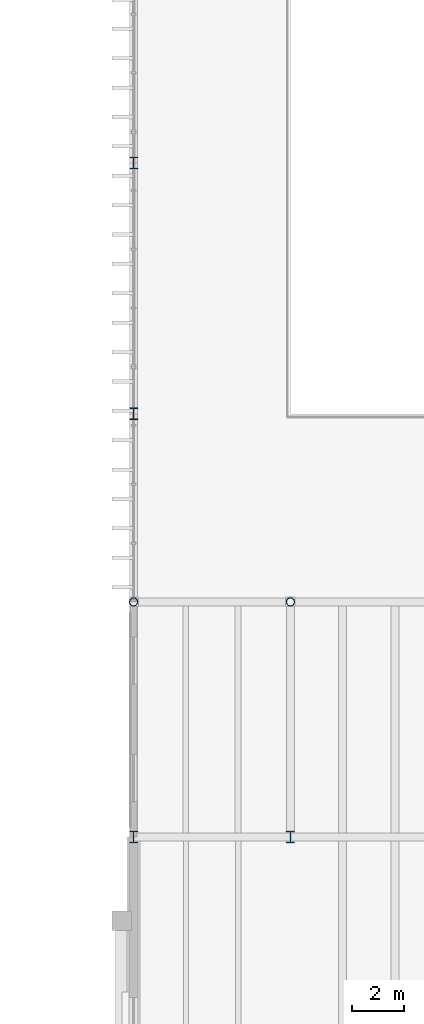
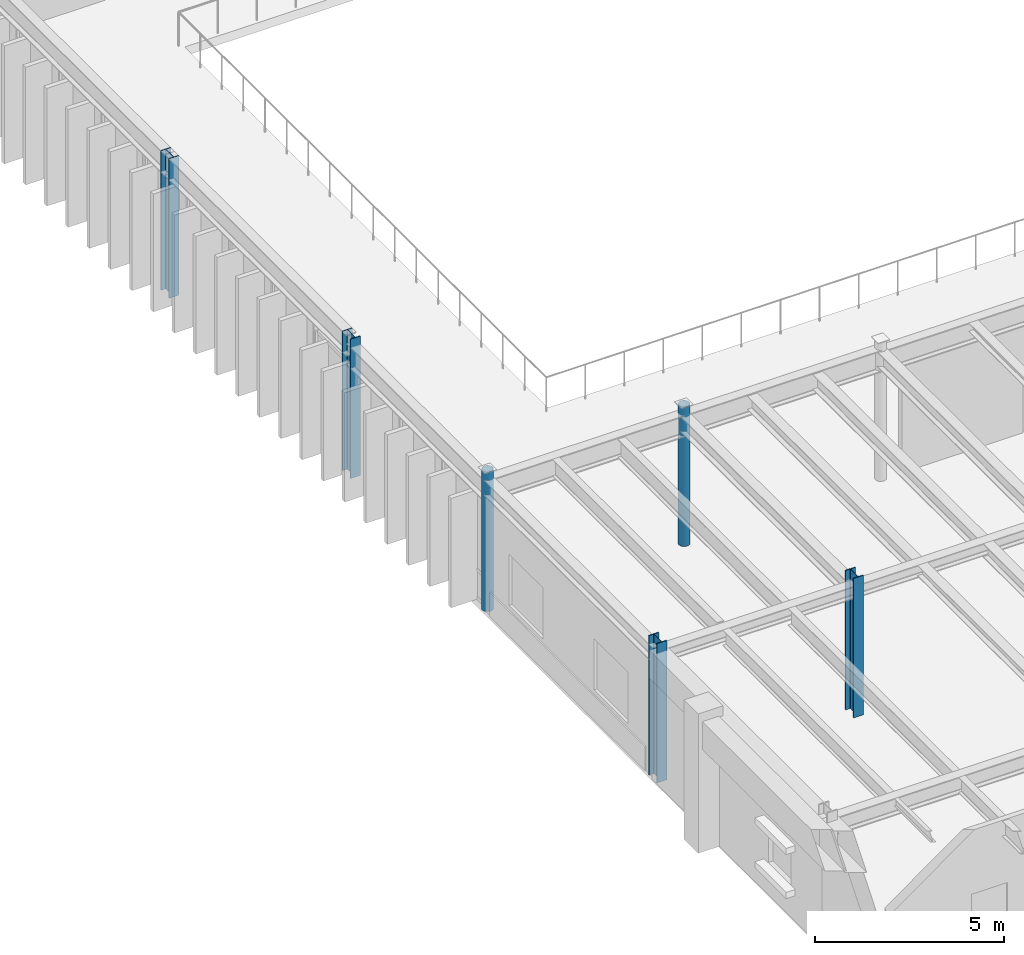
# One storey, part 3 of 64: 6 columns.
"""IFC4 building model written with IfcOpenShell, lengths in metres."""

import ifcopenshell
import ifcopenshell.guid

model = None  # the IFC model being written
_history = None  # IfcOwnerHistory: only IFC2X3 demands one
_inside = {}  # id of a spatial element -> (the spatial element, [elements in it])
_under = {}  # id of a project, library or spatial element -> (it, [spatial elements below it])
_declared = {}  # id of a project -> (the project, [libraries it declares])
_typed = {}  # id of a type object -> (the type object, [elements of that type])
_made_of = {}  # id of a material, layer set ... -> (it, [elements and type objects made of it])


def new_model(schema):
    """Start an empty IFC model of exactly this schema.

    Asked for "IFC4X3", IfcOpenShell would pick the latest addendum, in which some entities
    have other attributes; the version numbers below select the first issue.
    IFC2X3 requires an IfcOwnerHistory on every rooted entity: one is made here for all.
    """
    global model, _history
    if schema == "IFC4X3":
        model = ifcopenshell.file(schema_version=(4, 3, 0, 0))
    else:
        model = ifcopenshell.file(schema=schema)
    _inside.clear()
    _under.clear()
    _declared.clear()
    _typed.clear()
    _made_of.clear()
    _history = None
    if model.schema == "IFC2X3":
        org = make("IfcOrganization", Name="unknown")
        user = make(
            "IfcPersonAndOrganization",
            ThePerson=make("IfcPerson", FamilyName="unknown"),
            TheOrganization=org,
        )
        app = make(
            "IfcApplication",
            ApplicationDeveloper=org,
            Version="unknown",
            ApplicationFullName="unknown",
            ApplicationIdentifier="unknown",
        )
        _history = make(
            "IfcOwnerHistory",
            OwningUser=user,
            OwningApplication=app,
            ChangeAction="ADDED",
            CreationDate=0,
        )
    return model


def make(cls, **values):
    """One entity of the class cls with the attributes given. An attribute that is None is left unset."""
    return model.create_entity(
        cls, **{name: value for name, value in values.items() if value is not None}
    )


def rooted(cls, **values):
    """An entity with a GlobalId (a new one), such as an element, a storey or a relation."""
    return make(cls, GlobalId=ifcopenshell.guid.new(), OwnerHistory=_history, **values)


def si_unit(unit_type, name, prefix=None):
    """IfcSIUnit, for example si_unit("LENGTHUNIT", "METRE", prefix="MILLI")."""
    return make("IfcSIUnit", UnitType=unit_type, Prefix=prefix, Name=name)


def assignment(units):
    """IfcUnitAssignment: the units of a project."""
    return None if units is None else make("IfcUnitAssignment", Units=units)


def point(xyz):
    """IfcCartesianPoint."""
    return None if xyz is None else make("IfcCartesianPoint", Coordinates=xyz)


def direction(xyz):
    """IfcDirection."""
    return None if xyz is None else make("IfcDirection", DirectionRatios=xyz)


def frame(location, z_axis=None, x_axis=None):
    """IfcAxis2Placement3D, a coordinate frame: its origin and axes. An axis left out is left unset."""
    return make(
        "IfcAxis2Placement3D",
        Location=point(location),
        Axis=direction(z_axis),
        RefDirection=direction(x_axis),
    )


def frame_2d(location, x_axis=None):
    """IfcAxis2Placement2D, a coordinate frame in the plane: its origin and x axis."""
    return make(
        "IfcAxis2Placement2D", Location=point(location), RefDirection=direction(x_axis)
    )


def origin():
    """The frame at (0, 0, 0) with its axes left unset."""
    return frame((0.0, 0.0, 0.0))


def origin_2d():
    """The frame at (0, 0) in the plane with its x axis left unset."""
    return frame_2d((0.0, 0.0))


def place(relative_to, where):
    """IfcLocalPlacement: puts the frame where relative to a parent placement (None: the world)."""
    return make(
        "IfcLocalPlacement", PlacementRelTo=relative_to, RelativePlacement=where
    )


def context(
    kind, dimensions, precision=None, world=None, true_north=None, identifier=None
):
    """IfcGeometricRepresentationContext, for example the 3D "Model" context."""
    return make(
        "IfcGeometricRepresentationContext",
        ContextIdentifier=identifier,
        ContextType=kind,
        CoordinateSpaceDimension=dimensions,
        Precision=precision,
        WorldCoordinateSystem=world,
        TrueNorth=true_north,
    )


def subcontext(parent, identifier, kind, view, scale=None):
    """IfcGeometricRepresentationSubContext, for example "Body" below "Model"."""
    return make(
        "IfcGeometricRepresentationSubContext",
        ContextIdentifier=identifier,
        ContextType=kind,
        ParentContext=parent,
        TargetScale=scale,
        TargetView=view,
    )


def project(units=None, contexts=None):
    """IfcProject with its units and contexts."""
    return rooted(
        "IfcProject",
        Name="project",
        RepresentationContexts=contexts,
        UnitsInContext=assignment(units),
    )


def spatial(cls, under=None, at=None, **own):
    """A site, building, storey or space (cls), placed at a placement, below another one or the project."""
    s = rooted(cls, ObjectPlacement=at, **own)
    if under is not None:
        _under.setdefault(under.id(), (under, []))[1].append(s)
    return s


def profile(cls, at=None, kind="AREA", **sizes):
    """A parametric profile (cls). Its sizes go by their IFC names, for example OverallWidth=200.0."""
    return make(cls, ProfileType=kind, Position=at, **sizes)


def hollow_circle(**sizes):
    """IfcCircleHollowProfileDef."""
    return profile("IfcCircleHollowProfileDef", **sizes)


def i_section(**sizes):
    """IfcIShapeProfileDef."""
    return profile("IfcIShapeProfileDef", **sizes)


def extrude(swept, where, along, depth):
    """IfcExtrudedAreaSolid: the profile swept, set in the frame where, extruded along a direction by depth."""
    return make(
        "IfcExtrudedAreaSolid",
        SweptArea=swept,
        Position=where,
        ExtrudedDirection=direction(along),
        Depth=depth,
    )


def shape(context_of_items, identifier, shape_type, items):
    """IfcShapeRepresentation: the items that make up one representation, for example the "Body"."""
    return make(
        "IfcShapeRepresentation",
        ContextOfItems=context_of_items,
        RepresentationIdentifier=identifier,
        RepresentationType=shape_type,
        Items=items,
    )


def material(Name=None, Category=None):
    """IfcMaterial."""
    return make("IfcMaterial", Name=Name, Category=Category)


def material_profile(
    of_material, cross_section, Name=None, Category=None, Priority=None
):
    """IfcMaterialProfile: a cross section and its material."""
    return make(
        "IfcMaterialProfile",
        Name=Name,
        Material=of_material,
        Profile=cross_section,
        Priority=Priority,
        Category=Category,
    )


def profile_set(profiles, Name=None, composite=None):
    """IfcMaterialProfileSet."""
    return make(
        "IfcMaterialProfileSet",
        Name=Name,
        MaterialProfiles=profiles,
        CompositeProfile=composite,
    )


def made_of(thing, what):
    """Note that an element or type object is made of a material, layer set ...; save() writes the relation."""
    if what is not None:
        _made_of.setdefault(what.id(), (what, []))[1].append(thing)
    return thing


def type_object(cls, material=None, **own):
    """A type object (cls), such as IfcWallType, which elements share."""
    return made_of(rooted(cls, **own), material)


def element(
    cls,
    number,
    at=None,
    inside=None,
    cuts=None,
    type_object=None,
    material=None,
    context=None,
    identifier="Body",
    shape_type=None,
    held_by="IfcProductDefinitionShape",
    body=None,
    shapes=None,
    **own,
):
    """One element of the class cls, such as IfcWall. Its Tag is "e" and its number.

    at: its placement. inside: the storey or other place that contains it. cuts: it is an
    opening in that element (IfcRelVoidsElement). A single representation is given by context,
    identifier, shape_type and body (its items); several are given by shapes. held_by: the class
    of the entity that holds the representations. save() writes the other relations.
    """
    e = rooted(cls, Tag="e%d" % number, ObjectPlacement=at, **own)
    if body is not None:
        shapes = [shape(context, identifier, shape_type, body)]
    if shapes is not None:
        e.Representation = make(held_by, Representations=shapes)
    if inside is not None:
        _inside.setdefault(inside.id(), (inside, []))[1].append(e)
    if cuts is not None:
        rooted(
            "IfcRelVoidsElement", RelatingBuildingElement=cuts, RelatedOpeningElement=e
        )
    if type_object is not None:
        _typed.setdefault(type_object.id(), (type_object, []))[1].append(e)
    return made_of(e, material)


def aggregate(whole, parts):
    """IfcRelAggregates: a whole, such as a stair, and the parts it consists of."""
    return rooted("IfcRelAggregates", RelatingObject=whole, RelatedObjects=parts)


def save(model, path):
    """Write the relations noted so far, then the file.

    IfcRelAggregates (storeys below a building ...), IfcRelContainedInSpatialStructure (elements
    in a storey), IfcRelDefinesByType, IfcRelAssociatesMaterial and IfcRelDeclares: one each for
    every whole, place, type object, material and project.
    """
    for whole, parts in _under.values():
        aggregate(whole, parts)
    for where, things in _inside.values():
        rooted(
            "IfcRelContainedInSpatialStructure",
            RelatedElements=things,
            RelatingStructure=where,
        )
    for kind, things in _typed.values():
        rooted("IfcRelDefinesByType", RelatedObjects=things, RelatingType=kind)
    for what, things in _made_of.values():
        rooted("IfcRelAssociatesMaterial", RelatedObjects=things, RelatingMaterial=what)
    for by, libraries in _declared.values():
        rooted("IfcRelDeclares", RelatingContext=by, RelatedDefinitions=libraries)
    model.write(path)


model = new_model("IFC4")

# Units and contexts
model_context = context("Model", 3, precision=1e-05, world=origin(), true_north=direction((0.0, 1.0)))
body_context = subcontext(model_context, "Body", "Model", "MODEL_VIEW")
ifc_project = project(units=[si_unit("LENGTHUNIT", "METRE"), si_unit("AREAUNIT", "SQUARE_METRE"), si_unit("VOLUMEUNIT", "CUBIC_METRE"), si_unit("PLANEANGLEUNIT", "RADIAN"), si_unit("MASSUNIT", "GRAM", prefix="KILO")], contexts=[model_context])

# Site, building, storey
site_placement = place(None, origin())
site = spatial("IfcSite", under=ifc_project, at=site_placement, CompositionType="ELEMENT")
building_placement = place(site_placement, origin())
building = spatial("IfcBuilding", under=site, at=building_placement, Name="Montealbar Specialist Clinic", CompositionType="ELEMENT")
storey_placement = place(building_placement, frame((0.0, 0.0, 5.10009765625)))
storey = spatial("IfcBuildingStorey", under=building, at=storey_placement, Name="L01", CompositionType="ELEMENT", Elevation=5.10009765625)

# Columns
ifc_material = material(Name="Steel S355", Category="steel")
ifc_material_profile_1 = material_profile(ifc_material, hollow_circle(Radius=0.161865234375, WallThickness=0.01611328125, at=origin_2d()), Name="CHS 323.9x16.0", Category="steel")
ifc_profile_set_1 = profile_set([ifc_material_profile_1], Name="Steel S355")
column_type_1 = type_object("IfcColumnType", Name="COL-CHS-HALL", PredefinedType="COLUMN", material=ifc_profile_set_1)
column_1_placement = place(storey_placement, frame((60.0, 45.0, 0.0), z_axis=(0.0, 0.0, 1.0), x_axis=(1.0, 0.0, 0.0)))
element("IfcColumn", 1, at=column_1_placement, inside=storey, type_object=column_type_1, Name="Column 8/F L01", PredefinedType="COLUMN", context=body_context, shape_type="SweptSolid", body=[
    extrude(hollow_circle(Radius=0.161865234375, WallThickness=0.01611328125, at=origin_2d()), origin(), (0.0, 0.0, 1.0), 4.5),
])
ifc_material_profile_2 = material_profile(ifc_material, hollow_circle(Radius=0.161865234375, WallThickness=0.01611328125, at=origin_2d()), Name="CHS 323.9x16.0", Category="steel")
ifc_profile_set_2 = profile_set([ifc_material_profile_2], Name="Steel S355")
column_type_2 = type_object("IfcColumnType", Name="COL-CHS-HALL-EXT", PredefinedType="COLUMN", material=ifc_profile_set_2)
column_2_placement = place(storey_placement, frame((54.0, 45.0, 0.0), z_axis=(0.0, 0.0, 1.0), x_axis=(1.0, 0.0, 0.0)))
element("IfcColumn", 2, at=column_2_placement, inside=storey, type_object=column_type_2, Name="Column 7/F L01", PredefinedType="COLUMN", context=body_context, shape_type="SweptSolid", body=[
    extrude(hollow_circle(Radius=0.161865234375, WallThickness=0.01611328125, at=origin_2d()), origin(), (0.0, 0.0, 1.0), 4.5),
])
ifc_material_profile_3 = material_profile(ifc_material, i_section(OverallWidth=0.300048828125, OverallDepth=0.449951171875, WebThickness=0.013916015625, FlangeThickness=0.02587890625, FilletRadius=0.027099609375, at=origin_2d()), Name="HEB 450", Category="steel")
ifc_profile_set_3 = profile_set([ifc_material_profile_3], Name="Steel S355")
column_type_3 = type_object("IfcColumnType", Name="COL-S-L01-STD", PredefinedType="COLUMN", material=ifc_profile_set_3)
column_3_placement = place(storey_placement, frame((60.0, 36.0, 0.0), z_axis=(0.0, 0.0, 1.0), x_axis=(1.0, 0.0, 0.0)))
element("IfcColumn", 3, at=column_3_placement, inside=storey, type_object=column_type_3, Name="Column 8/E L01", PredefinedType="COLUMN", context=body_context, shape_type="SweptSolid", body=[
    extrude(i_section(OverallWidth=0.300048828125, OverallDepth=0.449951171875, WebThickness=0.013916015625, FlangeThickness=0.02587890625, FilletRadius=0.027099609375, at=origin_2d()), origin(), (0.0, 0.0, 1.0), 4.5),
])
ifc_material_profile_4 = material_profile(ifc_material, i_section(OverallWidth=0.300048828125, OverallDepth=0.449951171875, WebThickness=0.013916015625, FlangeThickness=0.02587890625, FilletRadius=0.027099609375, at=origin_2d()), Name="HEB 450", Category="steel")
ifc_profile_set_4 = profile_set([ifc_material_profile_4], Name="Steel S355")
column_type_4 = type_object("IfcColumnType", Name="COL-S-L01-STD-EXT", PredefinedType="COLUMN", material=ifc_profile_set_4)
for number, where, z_axis, x_axis, name in (
    (4, (54.0, 36.0, 0.0), (0.0, 0.0, 1.0), (1.0, 0.0, 0.0), "Column 7/E L01"),
    (5, (54.0, 52.199951171875, 0.0), (0.0, 0.0, 1.0), (1.0, 0.0, 0.0), "Column 7/G L01"),
    (6, (54.0, 61.800048828125, 0.0), (0.0, 0.0, 1.0), (1.0, 0.0, 0.0), "Column 7/H L01"),
):
    element("IfcColumn", number, at=place(storey_placement, frame(where, z_axis=z_axis, x_axis=x_axis)), inside=storey, type_object=column_type_4, Name=name, PredefinedType="COLUMN", context=body_context, shape_type="SweptSolid", body=[
        extrude(i_section(OverallWidth=0.300048828125, OverallDepth=0.449951171875, WebThickness=0.013916015625, FlangeThickness=0.02587890625, FilletRadius=0.027099609375, at=origin_2d()), origin(), (0.0, 0.0, 1.0), 4.5),
    ])

save(model, "model.ifc")
